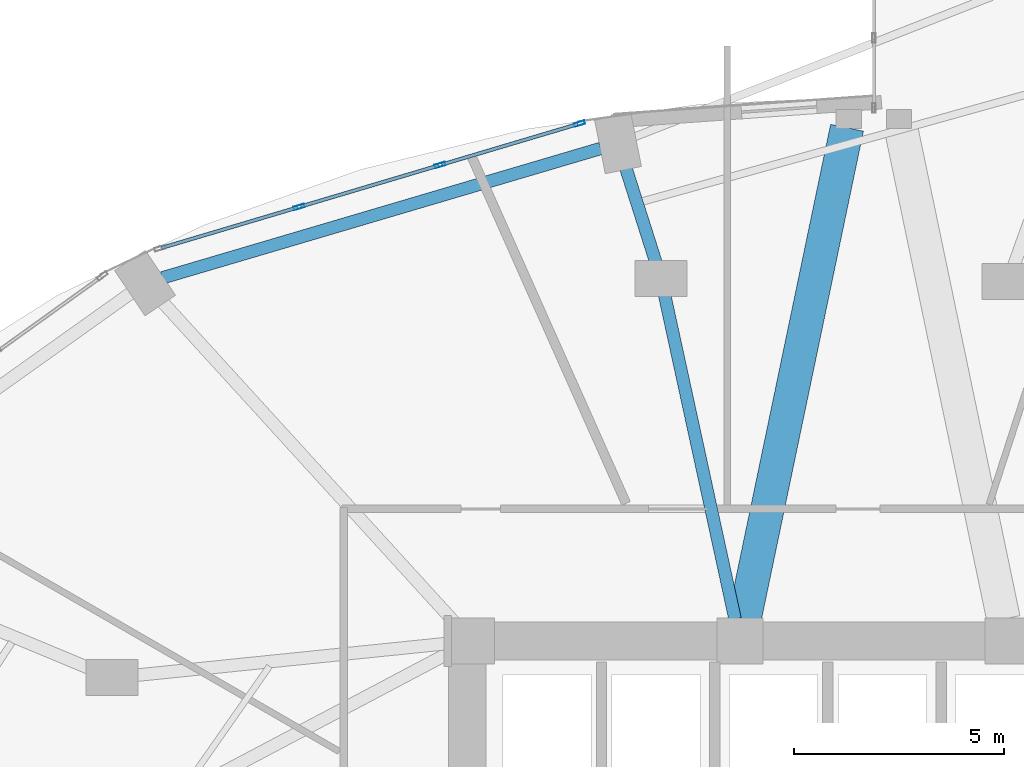
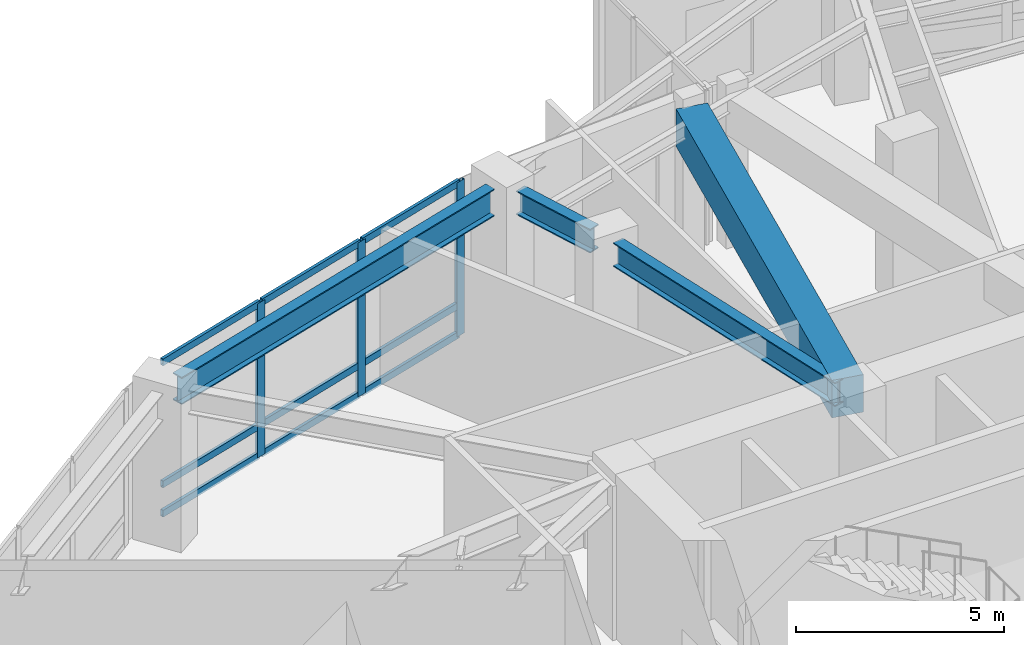
# One storey, part 14 of 24: 12 members, 4 beams, 1 element without a shape of its own.
"""IFC4 building model written with IfcOpenShell, lengths in metres."""

from ifc_helpers import new_model, si_unit, direction, frame, origin, origin_2d, place, context, subcontext, project, spatial, rectangle, hollow_rectangle, i_section, extrude, material, layer, layer_set, material_profile, profile_set, type_object, element, aggregate, save


model = new_model("IFC4")

# Units and contexts
model_context = context("Model", 3, precision=1e-05, world=origin(), true_north=direction((0.0, 1.0)))
body_context = subcontext(model_context, "Body", "Model", "MODEL_VIEW")
ifc_project = project(units=[si_unit("LENGTHUNIT", "METRE"), si_unit("AREAUNIT", "SQUARE_METRE"), si_unit("VOLUMEUNIT", "CUBIC_METRE"), si_unit("PLANEANGLEUNIT", "RADIAN"), si_unit("MASSUNIT", "GRAM", prefix="KILO")], contexts=[model_context])

# Site, building, storey
site_placement = place(None, origin())
site = spatial("IfcSite", under=ifc_project, at=site_placement, CompositionType="ELEMENT")
building_placement = place(site_placement, origin())
building = spatial("IfcBuilding", under=site, at=building_placement, Name="Lazwardi Medical Tower", CompositionType="ELEMENT")
storey_placement = place(building_placement, frame((0.0, 0.0, 10.800048828125)))
storey = spatial("IfcBuildingStorey", under=building, at=storey_placement, Name="L02", CompositionType="ELEMENT", Elevation=10.800048828125)

# Beams
ifc_material_1 = material(Name="Concrete C70/85", Category="concrete")
ifc_material_profile_1 = material_profile(ifc_material_1, rectangle(XDim=0.800048828125, YDim=1.10009765625, at=origin_2d()), Name="RC 800x1100")
ifc_profile_set_1 = profile_set([ifc_material_profile_1], Name="Concrete C70/85")
beam_type_1 = type_object("IfcBeamType", Name="BM-CB-RC1", PredefinedType="LINTEL", material=ifc_profile_set_1)
beam_1_placement = place(storey_placement, frame((32.909423828125, 36.123779296875, 3.969970703125), z_axis=(0.204429747009, 0.978881238219, 0.0), x_axis=(-0.978881238219, 0.204429747009, 0.0)))
element("IfcBeam", 1, at=beam_1_placement, inside=storey, type_object=beam_type_1, Name="Core coupling lintel CB-01 PL1 L02", PredefinedType="LINTEL", context=body_context, shape_type="SweptSolid", body=[
    extrude(rectangle(XDim=0.800048828125, YDim=1.10009765625, at=origin_2d()), origin(), (0.0, 0.0, 1.0), 11.9736328125),
])
ifc_material_2 = material(Name="Steel S355", Category="steel")
ifc_material_profile_2 = material_profile(ifc_material_2, i_section(OverallWidth=0.300048828125, OverallDepth=0.800048828125, WebThickness=0.017578125, FlangeThickness=0.032958984375, at=origin_2d()), Name="HEB 800")
ifc_profile_set_2 = profile_set([ifc_material_profile_2], Name="Steel S355")
beam_type_2 = type_object("IfcBeamType", Name="BM-RB-P1", PredefinedType="BEAM", material=ifc_profile_set_2)
beam_2_placement = place(storey_placement, frame((29.481201171875, 47.349853515625, 4.119873046875), z_axis=(-0.959103395471, -0.283055960537, 0.0), x_axis=(0.283055960537, -0.959103395471, 0.0)))
element("IfcBeam", 2, at=beam_2_placement, inside=storey, type_object=beam_type_2, Name="Ring beam RB-01 B09 L02", PredefinedType="BEAM", context=body_context, shape_type="SweptSolid", body=[
    extrude(i_section(OverallWidth=0.300048828125, OverallDepth=0.800048828125, WebThickness=0.017578125, FlangeThickness=0.032958984375, at=origin_2d()), origin(), (0.0, 0.0, 1.0), 10.904052734375),
])
ifc_material_profile_3 = material_profile(ifc_material_2, i_section(OverallWidth=0.300048828125, OverallDepth=0.699951171875, WebThickness=0.01708984375, FlangeThickness=0.031982421875, at=origin_2d()), Name="HEB 700")
ifc_profile_set_3 = profile_set([ifc_material_profile_3], Name="Steel S355")
beam_type_3 = type_object("IfcBeamType", Name="BM-RG-P1", PredefinedType="BEAM", material=ifc_profile_set_3)
beam_3_placement = place(storey_placement, frame((30.06982421875, 46.9189453125, 4.169921875), z_axis=(0.303510012158, -0.952828249224, 0.0), x_axis=(0.952828249224, 0.303510012158, 0.0)))
element("IfcBeam", 3, at=beam_3_placement, inside=storey, type_object=beam_type_3, Name="Radial girder RG-01 R09A L02", PredefinedType="BEAM", context=body_context, shape_type="SweptSolid", body=[
    extrude(i_section(OverallWidth=0.300048828125, OverallDepth=0.699951171875, WebThickness=0.01708984375, FlangeThickness=0.031982421875, at=origin_2d()), origin(), (0.0, 0.0, 1.0), 2.401123046875),
])
beam_4_placement = place(storey_placement, frame((31.0048828125, 43.859130859375, 4.169921875), z_axis=(0.212379713587, -0.977187217096, 0.0), x_axis=(0.977187217096, 0.212379713587, 0.0)))
element("IfcBeam", 4, at=beam_4_placement, inside=storey, type_object=beam_type_3, Name="Radial girder RG-01 R09B L02", PredefinedType="BEAM", context=body_context, shape_type="SweptSolid", body=[
    extrude(i_section(OverallWidth=0.300048828125, OverallDepth=0.699951171875, WebThickness=0.01708984375, FlangeThickness=0.031982421875, at=origin_2d()), origin(), (0.0, 0.0, 1.0), 7.9169921875),
])

# Curtain wall, members
ifc_material_3 = material(Name="Anodised bronze aluminium and solar control glazing", Category="aluminium")
ifc_layer = layer(ifc_material_3, 0.219970703125)
ifc_layer_set = layer_set([ifc_layer], Name="Anodised bronze aluminium and solar control glazing")
curtain_wall_type = type_object("IfcCurtainWallType", Name="CW-SYS-01", PredefinedType="NOTDEFINED", material=ifc_layer_set)
curtain_wall_placement = place(storey_placement, origin())
curtain_wall = element("IfcCurtainWall", 5, at=curtain_wall_placement, inside=storey, type_object=curtain_wall_type, Name="L02 Unitised bronze curtain wall CW-01", PredefinedType="NOTDEFINED")
ifc_material_4 = material(Name="Anodised bronze aluminium", Category="aluminium")
ifc_material_profile_4 = material_profile(ifc_material_4, hollow_rectangle(XDim=0.0849609375, YDim=0.260009765625, WallThickness=0.0048828125, at=origin_2d()), Name="ALU-MULLION 260x85x5")
ifc_profile_set_4 = profile_set([ifc_material_profile_4], Name="Anodised bronze aluminium")
member_type_1 = type_object("IfcMemberType", Name="CW-MUL-02", PredefinedType="MULLION", material=ifc_profile_set_4)
member_1_placement = place(storey_placement, frame((28.97119140625, 47.94189453125, 0.0), z_axis=(0.0, 0.0, 1.0), x_axis=(0.285047195531, -0.958513482597, 0.0)))
member_1 = element("IfcMember", 6, at=member_1_placement, type_object=member_type_1, Name="CW-01 mullion 1", PredefinedType="MULLION", context=body_context, shape_type="SweptSolid", body=[
    extrude(hollow_rectangle(XDim=0.0849609375, YDim=0.260009765625, WallThickness=0.0048828125, at=origin_2d()), origin(), (0.0, 0.0, 1.0), 4.52001953125),
])
member_2_placement = place(storey_placement, frame((25.649658203125, 46.9541015625, 0.0), z_axis=(0.0, 0.0, 1.0), x_axis=(0.285047195531, -0.958513482597, 0.0)))
member_2 = element("IfcMember", 7, at=member_2_placement, type_object=member_type_1, Name="CW-01 mullion 2", PredefinedType="MULLION", context=body_context, shape_type="SweptSolid", body=[
    extrude(hollow_rectangle(XDim=0.0849609375, YDim=0.260009765625, WallThickness=0.0048828125, at=origin_2d()), origin(), (0.0, 0.0, 1.0), 4.52001953125),
])
member_3_placement = place(storey_placement, frame((22.28759765625, 45.9541015625, 0.0), z_axis=(0.0, 0.0, 1.0), x_axis=(0.285047195531, -0.958513482597, 0.0)))
member_3 = element("IfcMember", 8, at=member_3_placement, type_object=member_type_1, Name="CW-01 mullion 3", PredefinedType="MULLION", context=body_context, shape_type="SweptSolid", body=[
    extrude(hollow_rectangle(XDim=0.0849609375, YDim=0.260009765625, WallThickness=0.0048828125, at=origin_2d()), origin(), (0.0, 0.0, 1.0), 4.52001953125),
])
ifc_material_profile_5 = material_profile(ifc_material_4, hollow_rectangle(XDim=0.0849609375, YDim=0.199951171875, WallThickness=0.00439453125, at=origin_2d()), Name="ALU-TRANSOM 200x85x4.5")
ifc_profile_set_5 = profile_set([ifc_material_profile_5], Name="Anodised bronze aluminium")
member_type_2 = type_object("IfcMemberType", Name="CW-TRN-02", PredefinedType="USERDEFINED", material=ifc_profile_set_5)
member_4_placement = place(storey_placement, frame((28.930419921875, 47.9296875, 0.04248046875), z_axis=(-0.958505424522, -0.285074290603, 0.0), x_axis=(0.285074290603, -0.958505424522, 0.0)))
member_4 = element("IfcMember", 9, at=member_4_placement, type_object=member_type_2, Name="CW-01 transom 1.1", ObjectType="TRANSOM", PredefinedType="USERDEFINED", context=body_context, shape_type="SweptSolid", body=[
    extrude(hollow_rectangle(XDim=0.0849609375, YDim=0.199951171875, WallThickness=0.00439453125, at=origin_2d()), origin(), (0.0, 0.0, 1.0), 3.38037109375),
])
member_5_placement = place(storey_placement, frame((28.930419921875, 47.9296875, 0.89990234375), z_axis=(-0.958505424522, -0.285074290603, 0.0), x_axis=(0.285074290603, -0.958505424522, 0.0)))
member_5 = element("IfcMember", 10, at=member_5_placement, type_object=member_type_2, Name="CW-01 transom 1.2", ObjectType="TRANSOM", PredefinedType="USERDEFINED", context=body_context, shape_type="SweptSolid", body=[
    extrude(hollow_rectangle(XDim=0.0849609375, YDim=0.199951171875, WallThickness=0.00439453125, at=origin_2d()), origin(), (0.0, 0.0, 1.0), 3.38037109375),
])
member_6_placement = place(storey_placement, frame((28.930419921875, 47.9296875, 4.4775390625), z_axis=(-0.958505424522, -0.285074290603, 0.0), x_axis=(0.285074290603, -0.958505424522, 0.0)))
member_6 = element("IfcMember", 11, at=member_6_placement, type_object=member_type_2, Name="CW-01 transom 1.3", ObjectType="TRANSOM", PredefinedType="USERDEFINED", context=body_context, shape_type="SweptSolid", body=[
    extrude(hollow_rectangle(XDim=0.0849609375, YDim=0.199951171875, WallThickness=0.00439453125, at=origin_2d()), origin(), (0.0, 0.0, 1.0), 3.38037109375),
])
member_7_placement = place(storey_placement, frame((25.60888671875, 46.94189453125, 0.04248046875), z_axis=(-0.958518450342, -0.285030490219, 0.0), x_axis=(0.285030490219, -0.958518450342, 0.0)))
member_7 = element("IfcMember", 12, at=member_7_placement, type_object=member_type_2, Name="CW-01 transom 2.1", ObjectType="TRANSOM", PredefinedType="USERDEFINED", context=body_context, shape_type="SweptSolid", body=[
    extrude(hollow_rectangle(XDim=0.0849609375, YDim=0.199951171875, WallThickness=0.00439453125, at=origin_2d()), origin(), (0.0, 0.0, 1.0), 3.4228515625),
])
member_8_placement = place(storey_placement, frame((25.60888671875, 46.94189453125, 0.89990234375), z_axis=(-0.958518450342, -0.285030490219, 0.0), x_axis=(0.285030490219, -0.958518450342, 0.0)))
member_8 = element("IfcMember", 13, at=member_8_placement, type_object=member_type_2, Name="CW-01 transom 2.2", ObjectType="TRANSOM", PredefinedType="USERDEFINED", context=body_context, shape_type="SweptSolid", body=[
    extrude(hollow_rectangle(XDim=0.0849609375, YDim=0.199951171875, WallThickness=0.00439453125, at=origin_2d()), origin(), (0.0, 0.0, 1.0), 3.4228515625),
])
member_9_placement = place(storey_placement, frame((25.60888671875, 46.94189453125, 4.4775390625), z_axis=(-0.958518450342, -0.285030490219, 0.0), x_axis=(0.285030490219, -0.958518450342, 0.0)))
member_9 = element("IfcMember", 14, at=member_9_placement, type_object=member_type_2, Name="CW-01 transom 2.3", ObjectType="TRANSOM", PredefinedType="USERDEFINED", context=body_context, shape_type="SweptSolid", body=[
    extrude(hollow_rectangle(XDim=0.0849609375, YDim=0.199951171875, WallThickness=0.00439453125, at=origin_2d()), origin(), (0.0, 0.0, 1.0), 3.4228515625),
])
member_10_placement = place(storey_placement, frame((22.246826171875, 45.942138671875, 0.04248046875), z_axis=(-0.958505424522, -0.285074290603, 0.0), x_axis=(0.285074290603, -0.958505424522, 0.0)))
member_10 = element("IfcMember", 15, at=member_10_placement, type_object=member_type_2, Name="CW-01 transom 3.1", ObjectType="TRANSOM", PredefinedType="USERDEFINED", context=body_context, shape_type="SweptSolid", body=[
    extrude(hollow_rectangle(XDim=0.0849609375, YDim=0.199951171875, WallThickness=0.00439453125, at=origin_2d()), origin(), (0.0, 0.0, 1.0), 3.38037109375),
])
member_11_placement = place(storey_placement, frame((22.246826171875, 45.942138671875, 0.89990234375), z_axis=(-0.958505424522, -0.285074290603, 0.0), x_axis=(0.285074290603, -0.958505424522, 0.0)))
member_11 = element("IfcMember", 16, at=member_11_placement, type_object=member_type_2, Name="CW-01 transom 3.2", ObjectType="TRANSOM", PredefinedType="USERDEFINED", context=body_context, shape_type="SweptSolid", body=[
    extrude(hollow_rectangle(XDim=0.0849609375, YDim=0.199951171875, WallThickness=0.00439453125, at=origin_2d()), origin(), (0.0, 0.0, 1.0), 3.38037109375),
])
member_12_placement = place(storey_placement, frame((22.246826171875, 45.942138671875, 4.4775390625), z_axis=(-0.958505424522, -0.285074290603, 0.0), x_axis=(0.285074290603, -0.958505424522, 0.0)))
member_12 = element("IfcMember", 17, at=member_12_placement, type_object=member_type_2, Name="CW-01 transom 3.3", ObjectType="TRANSOM", PredefinedType="USERDEFINED", context=body_context, shape_type="SweptSolid", body=[
    extrude(hollow_rectangle(XDim=0.0849609375, YDim=0.199951171875, WallThickness=0.00439453125, at=origin_2d()), origin(), (0.0, 0.0, 1.0), 3.38037109375),
])
aggregate(curtain_wall, [member_1, member_2, member_3, member_4, member_5, member_6, member_7, member_8, member_9, member_10, member_11, member_12])

save(model, "model.ifc")
